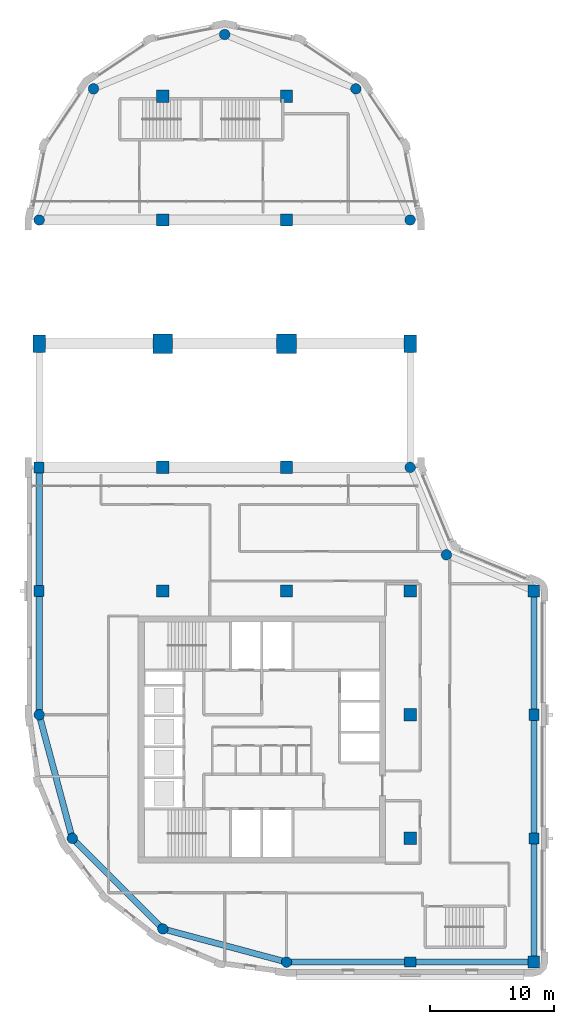
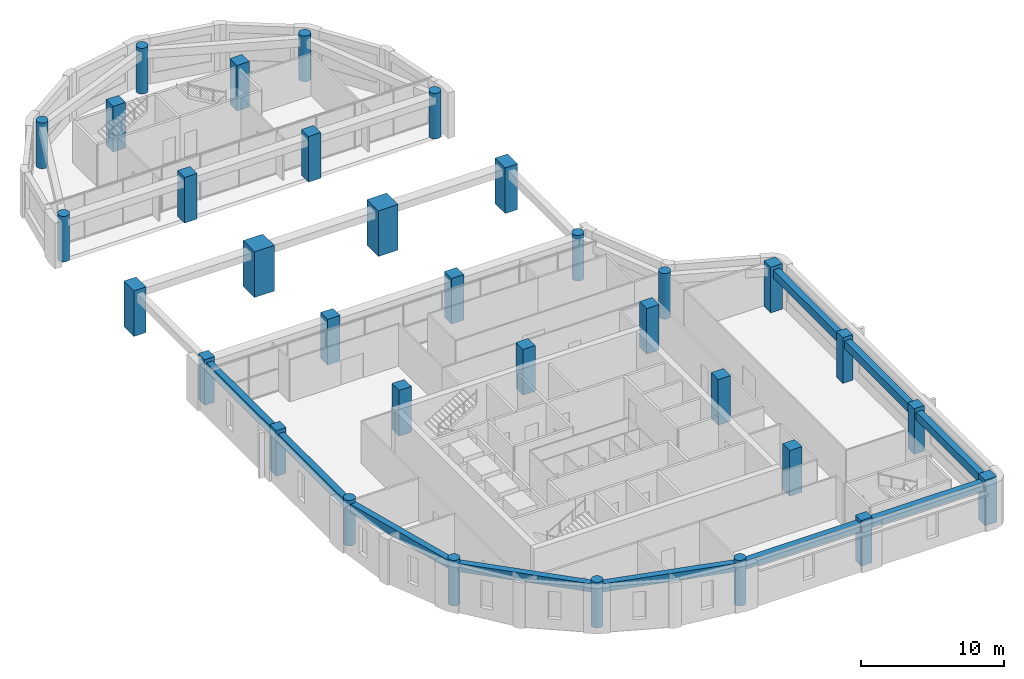
# One storey, part 1 of 11: 33 columns, 10 beams.
"""IFC4 building model written with IfcOpenShell, lengths in metres."""

from ifc_helpers import new_model, si_unit, direction, frame, origin, origin_2d, place, context, subcontext, project, spatial, rectangle, circle, extrude, material, material_profile, profile_set, type_object, element, save


model = new_model("IFC4")

# Units and contexts
model_context = context("Model", 3, precision=1e-05, world=origin(), true_north=direction((0.0, 1.0)))
body_context = subcontext(model_context, "Body", "Model", "MODEL_VIEW")
ifc_project = project(units=[si_unit("LENGTHUNIT", "METRE"), si_unit("AREAUNIT", "SQUARE_METRE"), si_unit("VOLUMEUNIT", "CUBIC_METRE"), si_unit("PLANEANGLEUNIT", "RADIAN"), si_unit("MASSUNIT", "GRAM", prefix="KILO")], contexts=[model_context])

# Site, building, storey
site_placement = place(None, origin())
site = spatial("IfcSite", under=ifc_project, at=site_placement, CompositionType="ELEMENT")
building_placement = place(site_placement, origin())
building = spatial("IfcBuilding", under=site, at=building_placement, Name="Qaws Garden Tower", CompositionType="ELEMENT")
storey_placement = place(building_placement, frame((0.0, 0.0, 325.5)))
storey = spatial("IfcBuildingStorey", under=building, at=storey_placement, Name="L79", CompositionType="ELEMENT", Elevation=325.5)

# Columns
ifc_material_1 = material(Name="Concrete C60", Category="concrete")
ifc_material_profile_1 = material_profile(ifc_material_1, rectangle(XDim=1.0, YDim=1.0, at=origin_2d()), Name="RC 1000x1000")
ifc_profile_set_1 = profile_set([ifc_material_profile_1], Name="Concrete C60")
column_type_1 = type_object("IfcColumnType", Name="Column RC 1000x1000 C60", PredefinedType="COLUMN", material=ifc_profile_set_1)
for number, where, z_axis, x_axis, name in (
    (1, (10.0, 30.0, 0.0), (0.0, 0.0, 1.0), (1.0, 0.0, 0.0), "Column L79-021"),
    (2, (10.0, 40.0, 0.0), (0.0, 0.0, 1.0), (1.0, 0.0, 0.0), "Column L79-022"),
    (3, (10.0, 60.0, 0.0), (0.0, 0.0, 1.0), (1.0, 0.0, 0.0), "Column L79-024"),
    (4, (10.0, 70.0, 0.0), (0.0, 0.0, 1.0), (1.0, 0.0, 0.0), "Column L79-025"),
    (5, (20.0, 30.0, 0.0), (0.0, 0.0, 1.0), (1.0, 0.0, 0.0), "Column L79-026"),
    (6, (20.0, 40.0, 0.0), (0.0, 0.0, 1.0), (1.0, 0.0, 0.0), "Column L79-027"),
    (7, (20.0, 60.0, 0.0), (0.0, 0.0, 1.0), (1.0, 0.0, 0.0), "Column L79-029"),
    (8, (20.0, 70.0, 0.0), (0.0, 0.0, 1.0), (1.0, 0.0, 0.0), "Column L79-030"),
    (9, (30.0, 10.0, 0.0), (0.0, 0.0, 1.0), (1.0, 0.0, 0.0), "Column L79-031"),
    (10, (30.0, 20.0, 0.0), (0.0, 0.0, 1.0), (1.0, 0.0, 0.0), "Column L79-032"),
    (11, (30.0, 30.0, 0.0), (0.0, 0.0, 1.0), (1.0, 0.0, 0.0), "Column L79-033"),
):
    element("IfcColumn", number, at=place(storey_placement, frame(where, z_axis=z_axis, x_axis=x_axis)), inside=storey, type_object=column_type_1, Name=name, PredefinedType="COLUMN", context=body_context, shape_type="SweptSolid", body=[
        extrude(rectangle(XDim=1.0, YDim=1.0, at=origin_2d()), origin(), (0.0, 0.0, 1.0), 3.89990234375),
    ])
ifc_material_2 = material(Name="Concrete C60", Category="concrete")
ifc_material_profile_2 = material_profile(ifc_material_2, rectangle(XDim=1.39990234375, YDim=1.0, at=origin_2d()), Name="RC 1400x1000")
ifc_profile_set_2 = profile_set([ifc_material_profile_2], Name="Concrete C60")
column_type_2 = type_object("IfcColumnType", Name="Column RC 1400x1000 C60", PredefinedType="COLUMN", material=ifc_profile_set_2)
for number, where, z_axis, x_axis, name in (
    (12, (30.0, 50.0, 0.0), (0.0, 0.0, 1.0), (0.0, 1.0, 0.0), "Column L79-009"),
    (13, (0.0, 50.0, 0.0), (0.0, 0.0, 1.0), (0.0, 1.0, 0.0), "Column L79-015"),
):
    element("IfcColumn", number, at=place(storey_placement, frame(where, z_axis=z_axis, x_axis=x_axis)), inside=storey, type_object=column_type_2, Name=name, PredefinedType="COLUMN", context=body_context, shape_type="SweptSolid", body=[
        extrude(rectangle(XDim=1.39990234375, YDim=1.0, at=origin_2d()), origin(), (0.0, 0.0, 1.0), 3.89990234375),
    ])
ifc_material_3 = material(Name="Concrete C60", Category="concrete")
ifc_material_profile_3 = material_profile(ifc_material_3, rectangle(XDim=1.60009765625, YDim=1.60009765625, at=origin_2d()), Name="RC 1600x1600")
ifc_profile_set_3 = profile_set([ifc_material_profile_3], Name="Concrete C60")
column_type_3 = type_object("IfcColumnType", Name="Column RC 1600x1600 C60", PredefinedType="COLUMN", material=ifc_profile_set_3)
for number, where, z_axis, x_axis, name in (
    (14, (10.0, 50.0, 0.0), (0.0, 0.0, 1.0), (1.0, 0.0, 0.0), "Column L79-023"),
    (15, (20.0, 50.0, 0.0), (0.0, 0.0, 1.0), (1.0, 0.0, 0.0), "Column L79-028"),
):
    element("IfcColumn", number, at=place(storey_placement, frame(where, z_axis=z_axis, x_axis=x_axis)), inside=storey, type_object=column_type_3, Name=name, PredefinedType="COLUMN", context=body_context, shape_type="SweptSolid", body=[
        extrude(rectangle(XDim=1.60009765625, YDim=1.60009765625, at=origin_2d()), origin(), (0.0, 0.0, 1.0), 3.89990234375),
    ])
ifc_material_4 = material(Name="Concrete C60", Category="concrete")
ifc_material_profile_4 = material_profile(ifc_material_4, rectangle(XDim=0.89990234375, YDim=0.800048828125, at=origin_2d()), Name="RC 900x800")
ifc_profile_set_4 = profile_set([ifc_material_profile_4], Name="Concrete C60")
column_type_4 = type_object("IfcColumnType", Name="Column RC 900x800 C60", PredefinedType="COLUMN", material=ifc_profile_set_4)
for number, where, z_axis, x_axis, name in (
    (16, (30.0, 0.0, 0.0), (0.0, 0.0, 1.0), (1.0, 0.0, 0.0), "Column L79-002"),
    (17, (40.0, 10.0, 0.0), (0.0, 0.0, 1.0), (0.0, 1.0, 0.0), "Column L79-004"),
    (18, (40.0, 20.0, 0.0), (0.0, 0.0, 1.0), (0.0, 1.0, 0.0), "Column L79-005"),
    (19, (0.0, 40.0, 0.0), (0.0, 0.0, 1.0), (0.0, 1.0, 0.0), "Column L79-016"),
    (20, (0.0, 30.0, 0.0), (0.0, 0.0, 1.0), (0.0, 1.0, 0.0), "Column L79-017"),
):
    element("IfcColumn", number, at=place(storey_placement, frame(where, z_axis=z_axis, x_axis=x_axis)), inside=storey, type_object=column_type_4, Name=name, PredefinedType="COLUMN", context=body_context, shape_type="SweptSolid", body=[
        extrude(rectangle(XDim=0.89990234375, YDim=0.800048828125, at=origin_2d()), origin(), (0.0, 0.0, 1.0), 3.89990234375),
    ])
ifc_material_5 = material(Name="Concrete C60", Category="concrete")
ifc_material_profile_5 = material_profile(ifc_material_5, rectangle(XDim=0.949951171875, YDim=0.949951171875, at=origin_2d()), Name="RC 950x950")
ifc_profile_set_5 = profile_set([ifc_material_profile_5], Name="Concrete C60")
column_type_5 = type_object("IfcColumnType", Name="Column RC 950x950 C60", PredefinedType="COLUMN", material=ifc_profile_set_5)
for number, where, z_axis, x_axis, name in (
    (21, (40.0, 0.0, 0.0), (0.0, 0.0, 1.0), (1.0, 0.0, 0.0), "Column L79-003"),
    (22, (40.0, 30.0, 0.0), (0.0, 0.0, 1.0), (1.0, 0.0, 0.0), "Column L79-006"),
):
    element("IfcColumn", number, at=place(storey_placement, frame(where, z_axis=z_axis, x_axis=x_axis)), inside=storey, type_object=column_type_5, Name=name, PredefinedType="COLUMN", context=body_context, shape_type="SweptSolid", body=[
        extrude(rectangle(XDim=0.949951171875, YDim=0.949951171875, at=origin_2d()), origin(), (0.0, 0.0, 1.0), 3.89990234375),
    ])
ifc_material_6 = material(Name="Concrete C60", Category="concrete")
ifc_material_profile_6 = material_profile(ifc_material_6, circle(Radius=0.425048828125, at=origin_2d()), Name="RC D850")
ifc_profile_set_6 = profile_set([ifc_material_profile_6], Name="Concrete C60")
column_type_6 = type_object("IfcColumnType", Name="Column RC D850 C60", PredefinedType="COLUMN", material=ifc_profile_set_6)
for number, where, z_axis, x_axis, name in (
    (23, (20.0, 0.0, 0.0), (0.0, 0.0, 1.0), (1.0, 0.0, 0.0), "Column L79-001"),
    (24, (32.928955078125, 32.928955078125, 0.0), (0.0, 0.0, 1.0), (1.0, 0.0, 0.0), "Column L79-007"),
    (25, (30.0, 40.0, 0.0), (0.0, 0.0, 1.0), (1.0, 0.0, 0.0), "Column L79-008"),
    (26, (30.0, 60.0, 0.0), (0.0, 0.0, 1.0), (1.0, 0.0, 0.0), "Column L79-010"),
    (27, (25.606689453125, 70.606689453125, 0.0), (0.0, 0.0, 1.0), (1.0, 0.0, 0.0), "Column L79-011"),
    (28, (15.0, 75.0, 0.0), (0.0, 0.0, 1.0), (1.0, 0.0, 0.0), "Column L79-012"),
    (29, (4.393310546875, 70.606689453125, 0.0), (0.0, 0.0, 1.0), (1.0, 0.0, 0.0), "Column L79-013"),
    (30, (0.0, 60.0, 0.0), (0.0, 0.0, 1.0), (1.0, 0.0, 0.0), "Column L79-014"),
    (31, (0.0, 20.0, 0.0), (0.0, 0.0, 1.0), (1.0, 0.0, 0.0), "Column L79-018"),
    (32, (2.679443359375, 10.0, 0.0), (0.0, 0.0, 1.0), (1.0, 0.0, 0.0), "Column L79-019"),
    (33, (10.0, 2.679443359375, 0.0), (0.0, 0.0, 1.0), (1.0, 0.0, 0.0), "Column L79-020"),
):
    element("IfcColumn", number, at=place(storey_placement, frame(where, z_axis=z_axis, x_axis=x_axis)), inside=storey, type_object=column_type_6, Name=name, PredefinedType="COLUMN", context=body_context, shape_type="SweptSolid", body=[
        extrude(circle(Radius=0.425048828125, at=origin_2d()), origin(), (0.0, 0.0, 1.0), 3.89990234375),
    ])

# Beams
ifc_material_7 = material(Name="Concrete C45", Category="concrete")
ifc_material_profile_7 = material_profile(ifc_material_7, rectangle(XDim=0.5, YDim=0.699951171875, at=origin_2d()), Name="RC 500x700")
ifc_profile_set_7 = profile_set([ifc_material_profile_7], Name="Concrete C45")
beam_type = type_object("IfcBeamType", Name="Spandrel beam RC 500x700 C45", PredefinedType="SPANDREL", material=ifc_profile_set_7)
for number, where, z_axis, x_axis, name in (
    (34, (20.0, 0.0, 3.22998046875), (1.0, 0.0, 0.0), (0.0, 1.0, 0.0), "Spandrel beam L79-001"),
    (35, (30.0, 0.0, 3.22998046875), (1.0, 0.0, 0.0), (0.0, 1.0, 0.0), "Spandrel beam L79-002"),
    (36, (40.0, 0.0, 3.22998046875), (0.0, 1.0, 0.0), (-1.0, 0.0, 0.0), "Spandrel beam L79-003"),
    (37, (40.0, 10.0, 3.22998046875), (0.0, 1.0, 0.0), (-1.0, 0.0, 0.0), "Spandrel beam L79-004"),
    (38, (40.0, 20.0, 3.22998046875), (0.0, 1.0, 0.0), (-1.0, 0.0, 0.0), "Spandrel beam L79-005"),
    (39, (0.0, 40.0, 3.22998046875), (0.0, -1.0, 0.0), (1.0, 0.0, 0.0), "Spandrel beam L79-014"),
    (40, (0.0, 30.0, 3.22998046875), (0.0, -1.0, 0.0), (1.0, 0.0, 0.0), "Spandrel beam L79-015"),
):
    element("IfcBeam", number, at=place(storey_placement, frame(where, z_axis=z_axis, x_axis=x_axis)), inside=storey, type_object=beam_type, Name=name, PredefinedType="SPANDREL", context=body_context, shape_type="SweptSolid", body=[
        extrude(rectangle(XDim=0.5, YDim=0.699951171875, at=origin_2d()), origin(), (0.0, 0.0, 1.0), 10.0),
    ])
for number, where, z_axis, x_axis, name in (
    (41, (0.0, 20.0, 3.22998046875), (0.25881466832, -0.965926999034, 0.0), (0.965926999034, 0.25881466832, 0.0), "Spandrel beam L79-016"),
    (42, (2.679443359375, 10.0, 3.22998046875), (0.707106781187, -0.707106781187, 0.0), (0.707106781187, 0.707106781187, 0.0), "Spandrel beam L79-017"),
    (43, (10.0, 2.679443359375, 3.22998046875), (0.965926999034, -0.25881466832, 0.0), (0.25881466832, 0.965926999034, 0.0), "Spandrel beam L79-018"),
):
    element("IfcBeam", number, at=place(storey_placement, frame(where, z_axis=z_axis, x_axis=x_axis)), inside=storey, type_object=beam_type, Name=name, PredefinedType="SPANDREL", context=body_context, shape_type="SweptSolid", body=[
        extrude(rectangle(XDim=0.5, YDim=0.699951171875, at=origin_2d()), origin(), (0.0, 0.0, 1.0), 10.352783203125),
    ])

save(model, "model.ifc")
